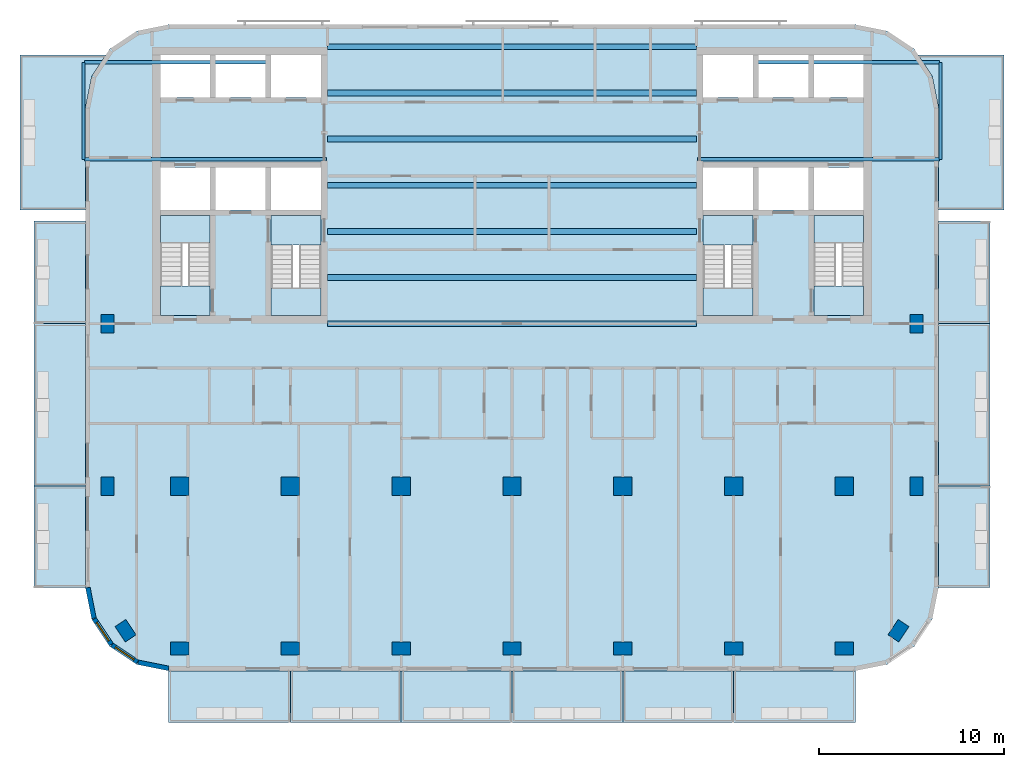
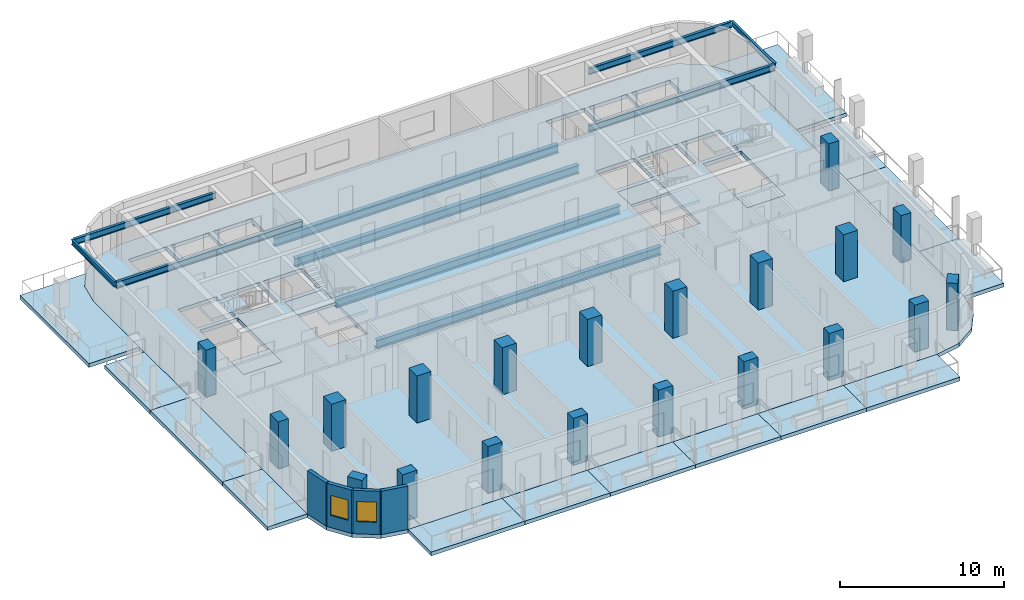
# One storey, part 1 of 11: 23 slabs, 20 columns, 13 beams, 4 walls, 2 windows, 2 openings, 4 elements without a shape of their own.
"""IFC4 building model written with IfcOpenShell, lengths in metres."""

from ifc_helpers import new_model, si_unit, direction, frame, frame_2d, origin, origin_2d, place, context, subcontext, project, spatial, polyline, rectangle, i_section, outline, extrude, material, layer, layer_set, material_profile, profile_set, type_object, element, fill, aggregate, save


model = new_model("IFC4")

# Units and contexts
model_context = context("Model", 3, precision=1e-05, world=origin(), true_north=direction((0.0, 1.0)))
body_context = subcontext(model_context, "Body", "Model", "MODEL_VIEW")
ifc_project = project(units=[si_unit("LENGTHUNIT", "METRE"), si_unit("AREAUNIT", "SQUARE_METRE"), si_unit("VOLUMEUNIT", "CUBIC_METRE"), si_unit("PLANEANGLEUNIT", "RADIAN"), si_unit("MASSUNIT", "GRAM", prefix="KILO")], contexts=[model_context])

# Site, building, storey
site_placement = place(None, origin())
site = spatial("IfcSite", under=ifc_project, at=site_placement, CompositionType="ELEMENT")
building_placement = place(site_placement, origin())
building = spatial("IfcBuilding", under=site, at=building_placement, Name="Torana Hotel and Residences", CompositionType="ELEMENT")
storey_placement = place(building_placement, frame((0.0, 0.0, 273.60009765625)))
storey = spatial("IfcBuildingStorey", under=building, at=storey_placement, Name="L72", CompositionType="ELEMENT", Elevation=273.60009765625)

# Columns
ifc_material_1 = material(Name="Concrete C50/60", Category="concrete")
ifc_material_profile_1 = material_profile(ifc_material_1, rectangle(XDim=1.0, YDim=1.0, at=origin_2d()), Name="RC 1000x1000")
ifc_profile_set_1 = profile_set([ifc_material_profile_1], Name="Concrete C50/60")
column_type_1 = type_object("IfcColumnType", Name="COLUMN RC 1000x1000 C50/60", PredefinedType="COLUMN", material=ifc_profile_set_1)
for number, where, z_axis, x_axis, name in (
    (1, (-18.0, -23.800048828125, 0.0), (0.0, 0.0, 1.0), (1.0, 0.0, 0.0), "Column L72"),
    (2, (-12.0, -23.800048828125, 0.0), (0.0, 0.0, 1.0), (1.0, 0.0, 0.0), "Column L72"),
    (3, (-6.0, -23.800048828125, 0.0), (0.0, 0.0, 1.0), (1.0, 0.0, 0.0), "Column L72"),
    (4, (0.0, -23.800048828125, 0.0), (0.0, 0.0, 1.0), (1.0, 0.0, 0.0), "Column L72"),
    (5, (6.0, -23.800048828125, 0.0), (0.0, 0.0, 1.0), (1.0, 0.0, 0.0), "Column L72"),
    (6, (12.0, -23.800048828125, 0.0), (0.0, 0.0, 1.0), (1.0, 0.0, 0.0), "Column L72"),
    (7, (18.0, -23.800048828125, 0.0), (0.0, 0.0, 1.0), (1.0, 0.0, 0.0), "Column L72"),
):
    element("IfcColumn", number, at=place(storey_placement, frame(where, z_axis=z_axis, x_axis=x_axis)), inside=storey, type_object=column_type_1, Name=name, PredefinedType="COLUMN", context=body_context, shape_type="SweptSolid", body=[
        extrude(rectangle(XDim=1.0, YDim=1.0, at=origin_2d()), origin(), (0.0, 0.0, 1.0), 3.5),
    ])
ifc_material_2 = material(Name="Concrete C50/60", Category="concrete")
ifc_material_profile_2 = material_profile(ifc_material_2, rectangle(XDim=1.0, YDim=0.699951171875, at=origin_2d()), Name="RC 1000x700")
ifc_profile_set_2 = profile_set([ifc_material_profile_2], Name="Concrete C50/60")
column_type_2 = type_object("IfcColumnType", Name="COLUMN RC 1000x700 C50/60", PredefinedType="COLUMN", material=ifc_profile_set_2)
for number, where, z_axis, x_axis, name in (
    (8, (-21.89990234375, -23.800048828125, 0.0), (0.0, 0.0, 1.0), (0.0, 1.0, 0.0), "Column L72"),
    (9, (-21.89990234375, -15.0, 0.0), (0.0, 0.0, 1.0), (0.0, 1.0, 0.0), "Column L72"),
    (10, (-20.93310546875, -31.633056640625, 0.0), (0.0, 0.0, 1.0), (-0.555584744817, 0.831459915646, 0.0), "Column L72"),
    (11, (-18.0, -32.60009765625, 0.0), (0.0, 0.0, 1.0), (1.0, 0.0, 0.0), "Column L72"),
    (12, (-12.0, -32.60009765625, 0.0), (0.0, 0.0, 1.0), (1.0, 0.0, 0.0), "Column L72"),
    (13, (-6.0, -32.60009765625, 0.0), (0.0, 0.0, 1.0), (1.0, 0.0, 0.0), "Column L72"),
    (14, (0.0, -32.60009765625, 0.0), (0.0, 0.0, 1.0), (1.0, 0.0, 0.0), "Column L72"),
    (15, (6.0, -32.60009765625, 0.0), (0.0, 0.0, 1.0), (1.0, 0.0, 0.0), "Column L72"),
    (16, (12.0, -32.60009765625, 0.0), (0.0, 0.0, 1.0), (1.0, 0.0, 0.0), "Column L72"),
    (17, (18.0, -32.60009765625, 0.0), (0.0, 0.0, 1.0), (1.0, 0.0, 0.0), "Column L72"),
    (18, (20.93310546875, -31.633056640625, 0.0), (0.0, 0.0, 1.0), (0.555584744817, 0.831459915646, 0.0), "Column L72"),
    (19, (21.89990234375, -23.800048828125, 0.0), (0.0, 0.0, 1.0), (0.0, 1.0, 0.0), "Column L72"),
    (20, (21.89990234375, -15.0, 0.0), (0.0, 0.0, 1.0), (0.0, 1.0, 0.0), "Column L72"),
):
    element("IfcColumn", number, at=place(storey_placement, frame(where, z_axis=z_axis, x_axis=x_axis)), inside=storey, type_object=column_type_2, Name=name, PredefinedType="COLUMN", context=body_context, shape_type="SweptSolid", body=[
        extrude(rectangle(XDim=1.0, YDim=0.699951171875, at=origin_2d()), origin(), (0.0, 0.0, 1.0), 3.5),
    ])

# Beams
ifc_material_3 = material(Name="Steel S355", Category="steel")
ifc_material_profile_3 = material_profile(ifc_material_3, i_section(OverallWidth=0.19287109375, OverallDepth=0.46728515625, WebThickness=0.011474609375, FlangeThickness=0.01953125, FilletRadius=0.01025390625, at=origin_2d()), Name="457x191x98 UB")
ifc_profile_set_3 = profile_set([ifc_material_profile_3], Name="Steel S355")
beam_type_1 = type_object("IfcBeamType", Name="BALCONY CANTILEVER BEAM 457x191x98 UB", PredefinedType="BEAM", material=ifc_profile_set_3)
beam_1_placement = place(storey_placement, frame((-23.1484375, -6.10009765625, 2.986328125), z_axis=(1.0, 0.0, 0.0), x_axis=(0.0, 1.0, 0.0)))
element("IfcBeam", 21, at=beam_1_placement, inside=storey, type_object=beam_type_1, Name="Balcony cantilever beam", PredefinedType="BEAM", context=body_context, shape_type="SweptSolid", body=[
    extrude(i_section(OverallWidth=0.19287109375, OverallDepth=0.46728515625, WebThickness=0.011474609375, FlangeThickness=0.01953125, FilletRadius=0.01025390625, at=origin_2d()), origin(), (0.0, 0.0, 1.0), 13.098388671875),
])
beam_2_placement = place(storey_placement, frame((-23.1484375, -0.85009765625, 2.986328125), z_axis=(1.0, 0.0, 0.0), x_axis=(0.0, 1.0, 0.0)))
element("IfcBeam", 22, at=beam_2_placement, inside=storey, type_object=beam_type_1, Name="Balcony cantilever beam", PredefinedType="BEAM", context=body_context, shape_type="SweptSolid", body=[
    extrude(i_section(OverallWidth=0.19287109375, OverallDepth=0.46728515625, WebThickness=0.011474609375, FlangeThickness=0.01953125, FilletRadius=0.01025390625, at=origin_2d()), origin(), (0.0, 0.0, 1.0), 10.04833984375),
])
beam_3_placement = place(storey_placement, frame((23.1484375, -6.10009765625, 2.986328125), z_axis=(-1.0, 0.0, 0.0), x_axis=(0.0, -1.0, 0.0)))
element("IfcBeam", 23, at=beam_3_placement, inside=storey, type_object=beam_type_1, Name="Balcony cantilever beam", PredefinedType="BEAM", context=body_context, shape_type="SweptSolid", body=[
    extrude(i_section(OverallWidth=0.19287109375, OverallDepth=0.46728515625, WebThickness=0.011474609375, FlangeThickness=0.01953125, FilletRadius=0.01025390625, at=origin_2d()), origin(), (0.0, 0.0, 1.0), 13.098388671875),
])
beam_4_placement = place(storey_placement, frame((23.1484375, -0.85009765625, 2.986328125), z_axis=(-1.0, 0.0, 0.0), x_axis=(0.0, -1.0, 0.0)))
element("IfcBeam", 24, at=beam_4_placement, inside=storey, type_object=beam_type_1, Name="Balcony cantilever beam", PredefinedType="BEAM", context=body_context, shape_type="SweptSolid", body=[
    extrude(i_section(OverallWidth=0.19287109375, OverallDepth=0.46728515625, WebThickness=0.011474609375, FlangeThickness=0.01953125, FilletRadius=0.01025390625, at=origin_2d()), origin(), (0.0, 0.0, 1.0), 10.04833984375),
])
ifc_material_4 = material(Name="Steel S355", Category="steel")
ifc_material_profile_4 = material_profile(ifc_material_4, i_section(OverallWidth=0.173095703125, OverallDepth=0.36328125, WebThickness=0.009033203125, FlangeThickness=0.015625, FilletRadius=0.01025390625, at=origin_2d()), Name="356x171x67 UB")
ifc_profile_set_4 = profile_set([ifc_material_profile_4], Name="Steel S355")
beam_type_2 = type_object("IfcBeamType", Name="BALCONY TIP BEAM 356x171x67 UB", PredefinedType="BEAM", material=ifc_profile_set_4)
for number, where, z_axis, x_axis, name in (
    (25, (-23.205078125, -6.10009765625, 3.0380859375), (0.0, 1.0, 0.0), (-1.0, 0.0, 0.0), "Balcony tip beam"),
    (26, (23.205078125, -6.10009765625, 3.0380859375), (0.0, 1.0, 0.0), (-1.0, 0.0, 0.0), "Balcony tip beam"),
):
    element("IfcBeam", number, at=place(storey_placement, frame(where, z_axis=z_axis, x_axis=x_axis)), inside=storey, type_object=beam_type_2, Name=name, PredefinedType="BEAM", context=body_context, shape_type="SweptSolid", body=[
        extrude(i_section(OverallWidth=0.173095703125, OverallDepth=0.36328125, WebThickness=0.009033203125, FlangeThickness=0.015625, FilletRadius=0.01025390625, at=origin_2d()), origin(), (0.0, 0.0, 1.0), 5.25),
    ])
ifc_material_5 = material(Name="Steel S355", Category="steel")
ifc_material_profile_5 = material_profile(ifc_material_5, i_section(OverallWidth=0.311279296875, OverallDepth=0.6357421875, WebThickness=0.018310546875, FlangeThickness=0.031494140625, FilletRadius=0.0166015625, at=origin_2d()), Name="610x305x238 UB")
ifc_profile_set_5 = profile_set([ifc_material_profile_5], Name="Steel S355")
beam_type_3 = type_object("IfcBeamType", Name="STEEL GIRDER 610x305x238 UB", PredefinedType="BEAM", material=ifc_profile_set_5)
for number, where, z_axis, x_axis, name in (
    (27, (-10.0, -15.0, -0.597900390625), (1.0, 0.0, 0.0), (0.0, 1.0, 0.0), "Floor girder"),
    (28, (-10.0, -12.5, -0.597900390625), (1.0, 0.0, 0.0), (0.0, 1.0, 0.0), "Floor girder"),
    (29, (-10.0, -10.0, -0.597900390625), (1.0, 0.0, 0.0), (0.0, 1.0, 0.0), "Floor girder"),
    (30, (-10.0, -7.5, -0.597900390625), (1.0, 0.0, 0.0), (0.0, 1.0, 0.0), "Floor girder"),
    (31, (-10.0, -5.0, -0.597900390625), (1.0, 0.0, 0.0), (0.0, 1.0, 0.0), "Floor girder"),
    (32, (-10.0, -2.5, -0.597900390625), (1.0, 0.0, 0.0), (0.0, 1.0, 0.0), "Floor girder"),
    (33, (-10.0, 0.0, -0.597900390625), (1.0, 0.0, 0.0), (0.0, 1.0, 0.0), "Floor girder"),
):
    element("IfcBeam", number, at=place(storey_placement, frame(where, z_axis=z_axis, x_axis=x_axis)), inside=storey, type_object=beam_type_3, Name=name, PredefinedType="BEAM", context=body_context, shape_type="SweptSolid", body=[
        extrude(i_section(OverallWidth=0.311279296875, OverallDepth=0.6357421875, WebThickness=0.018310546875, FlangeThickness=0.031494140625, FilletRadius=0.0166015625, at=origin_2d()), origin(), (0.0, 0.0, 1.0), 20.0),
    ])

# Slabs
ifc_material_6 = material(Name="Concrete C40/50", Category="concrete")
ifc_layer_1 = layer(ifc_material_6, 0.280029296875)
ifc_layer_set_1 = layer_set([ifc_layer_1], Name="BAL1 BALCONY SLAB 280")
slab_type_1 = type_object("IfcSlabType", Name="BAL1 BALCONY SLAB 280", PredefinedType="USERDEFINED", material=ifc_layer_set_1)
slab_1_placement = place(storey_placement, frame((0.0, 0.0, -0.280029296875)))
element("IfcSlab", 34, at=slab_1_placement, inside=storey, type_object=slab_type_1, Name="Balcony 01", ObjectType="BALCONY", PredefinedType="USERDEFINED", context=body_context, shape_type="SweptSolid", body=[
    extrude(outline(polyline([(-18.60009765625, -36.60009765625), (-12.0, -36.60009765625), (-12.0, -33.800048828125), (-18.60009765625, -33.800048828125), (-18.60009765625, -36.60009765625)])), origin(), (0.0, 0.0, 1.0), 0.280029296875),
])
slab_2_placement = place(storey_placement, frame((0.0, 0.0, -0.280029296875)))
element("IfcSlab", 35, at=slab_2_placement, inside=storey, type_object=slab_type_1, Name="Balcony 02", ObjectType="BALCONY", PredefinedType="USERDEFINED", context=body_context, shape_type="SweptSolid", body=[
    extrude(outline(polyline([(-12.0, -36.60009765625), (-6.0, -36.60009765625), (-6.0, -33.800048828125), (-12.0, -33.800048828125), (-12.0, -36.60009765625)])), origin(), (0.0, 0.0, 1.0), 0.280029296875),
])
slab_3_placement = place(storey_placement, frame((0.0, 0.0, -0.280029296875)))
element("IfcSlab", 36, at=slab_3_placement, inside=storey, type_object=slab_type_1, Name="Balcony 03", ObjectType="BALCONY", PredefinedType="USERDEFINED", context=body_context, shape_type="SweptSolid", body=[
    extrude(outline(polyline([(-6.0, -36.60009765625), (0.0, -36.60009765625), (0.0, -33.800048828125), (-6.0, -33.800048828125), (-6.0, -36.60009765625)])), origin(), (0.0, 0.0, 1.0), 0.280029296875),
])
slab_4_placement = place(storey_placement, frame((0.0, 0.0, -0.280029296875)))
element("IfcSlab", 37, at=slab_4_placement, inside=storey, type_object=slab_type_1, Name="Balcony 04", ObjectType="BALCONY", PredefinedType="USERDEFINED", context=body_context, shape_type="SweptSolid", body=[
    extrude(outline(polyline([(0.0, -36.60009765625), (6.0, -36.60009765625), (6.0, -33.800048828125), (0.0, -33.800048828125), (0.0, -36.60009765625)])), origin(), (0.0, 0.0, 1.0), 0.280029296875),
])
slab_5_placement = place(storey_placement, frame((0.0, 0.0, -0.280029296875)))
element("IfcSlab", 38, at=slab_5_placement, inside=storey, type_object=slab_type_1, Name="Balcony 05", ObjectType="BALCONY", PredefinedType="USERDEFINED", context=body_context, shape_type="SweptSolid", body=[
    extrude(outline(polyline([(6.0, -36.60009765625), (12.0, -36.60009765625), (12.0, -33.800048828125), (6.0, -33.800048828125), (6.0, -36.60009765625)])), origin(), (0.0, 0.0, 1.0), 0.280029296875),
])
slab_6_placement = place(storey_placement, frame((0.0, 0.0, -0.280029296875)))
element("IfcSlab", 39, at=slab_6_placement, inside=storey, type_object=slab_type_1, Name="Balcony 06", ObjectType="BALCONY", PredefinedType="USERDEFINED", context=body_context, shape_type="SweptSolid", body=[
    extrude(outline(polyline([(12.0, -36.60009765625), (18.60009765625, -36.60009765625), (18.60009765625, -33.800048828125), (12.0, -33.800048828125), (12.0, -36.60009765625)])), origin(), (0.0, 0.0, 1.0), 0.280029296875),
])
slab_7_placement = place(storey_placement, frame((0.0, 0.0, -0.280029296875)))
element("IfcSlab", 40, at=slab_7_placement, inside=storey, type_object=slab_type_1, Name="Balcony 07", ObjectType="BALCONY", PredefinedType="USERDEFINED", context=body_context, shape_type="SweptSolid", body=[
    extrude(outline(polyline([(-25.89990234375, -29.300048828125), (-23.10009765625, -29.300048828125), (-23.10009765625, -23.800048828125), (-25.89990234375, -23.800048828125), (-25.89990234375, -29.300048828125)])), origin(), (0.0, 0.0, 1.0), 0.280029296875),
])
slab_8_placement = place(storey_placement, frame((0.0, 0.0, -0.280029296875)))
element("IfcSlab", 41, at=slab_8_placement, inside=storey, type_object=slab_type_1, Name="Balcony 08", ObjectType="BALCONY", PredefinedType="USERDEFINED", context=body_context, shape_type="SweptSolid", body=[
    extrude(outline(polyline([(-25.89990234375, -23.800048828125), (-23.10009765625, -23.800048828125), (-23.10009765625, -15.0), (-25.89990234375, -15.0), (-25.89990234375, -23.800048828125)])), origin(), (0.0, 0.0, 1.0), 0.280029296875),
])
slab_9_placement = place(storey_placement, frame((0.0, 0.0, -0.280029296875)))
element("IfcSlab", 42, at=slab_9_placement, inside=storey, type_object=slab_type_1, Name="Balcony 09", ObjectType="BALCONY", PredefinedType="USERDEFINED", context=body_context, shape_type="SweptSolid", body=[
    extrude(outline(polyline([(-25.89990234375, -15.0), (-23.10009765625, -15.0), (-23.10009765625, -9.449951171875), (-25.89990234375, -9.449951171875), (-25.89990234375, -15.0)])), origin(), (0.0, 0.0, 1.0), 0.280029296875),
])
slab_10_placement = place(storey_placement, frame((0.0, 0.0, -0.280029296875)))
element("IfcSlab", 43, at=slab_10_placement, inside=storey, type_object=slab_type_1, Name="Balcony 10", ObjectType="BALCONY", PredefinedType="USERDEFINED", context=body_context, shape_type="SweptSolid", body=[
    extrude(outline(polyline([(-26.64990234375, -8.85009765625), (-23.10009765625, -8.85009765625), (-23.10009765625, -3.300048828125), (-22.757568359375, -1.577880859375), (-22.00390625, -0.449951171875), (-26.64990234375, -0.449951171875), (-26.64990234375, -8.85009765625)])), origin(), (0.0, 0.0, 1.0), 0.280029296875),
])
slab_11_placement = place(storey_placement, frame((0.0, 0.0, -0.280029296875)))
element("IfcSlab", 44, at=slab_11_placement, inside=storey, type_object=slab_type_1, Name="Balcony 11", ObjectType="BALCONY", PredefinedType="USERDEFINED", context=body_context, shape_type="SweptSolid", body=[
    extrude(outline(polyline([(23.10009765625, -29.300048828125), (25.89990234375, -29.300048828125), (25.89990234375, -23.800048828125), (23.10009765625, -23.800048828125), (23.10009765625, -29.300048828125)])), origin(), (0.0, 0.0, 1.0), 0.280029296875),
])
slab_12_placement = place(storey_placement, frame((0.0, 0.0, -0.280029296875)))
element("IfcSlab", 45, at=slab_12_placement, inside=storey, type_object=slab_type_1, Name="Balcony 12", ObjectType="BALCONY", PredefinedType="USERDEFINED", context=body_context, shape_type="SweptSolid", body=[
    extrude(outline(polyline([(23.10009765625, -23.800048828125), (25.89990234375, -23.800048828125), (25.89990234375, -15.0), (23.10009765625, -15.0), (23.10009765625, -23.800048828125)])), origin(), (0.0, 0.0, 1.0), 0.280029296875),
])
slab_13_placement = place(storey_placement, frame((0.0, 0.0, -0.280029296875)))
element("IfcSlab", 46, at=slab_13_placement, inside=storey, type_object=slab_type_1, Name="Balcony 13", ObjectType="BALCONY", PredefinedType="USERDEFINED", context=body_context, shape_type="SweptSolid", body=[
    extrude(outline(polyline([(23.10009765625, -15.0), (25.89990234375, -15.0), (25.89990234375, -9.449951171875), (23.10009765625, -9.449951171875), (23.10009765625, -15.0)])), origin(), (0.0, 0.0, 1.0), 0.280029296875),
])
slab_14_placement = place(storey_placement, frame((0.0, 0.0, -0.280029296875)))
element("IfcSlab", 47, at=slab_14_placement, inside=storey, type_object=slab_type_1, Name="Balcony 14", ObjectType="BALCONY", PredefinedType="USERDEFINED", context=body_context, shape_type="SweptSolid", body=[
    extrude(outline(polyline([(23.10009765625, -8.85009765625), (26.64990234375, -8.85009765625), (26.64990234375, -0.449951171875), (22.00390625, -0.449951171875), (22.757568359375, -1.577880859375), (23.10009765625, -3.300048828125), (23.10009765625, -8.85009765625)])), origin(), (0.0, 0.0, 1.0), 0.280029296875),
])
ifc_material_7 = material(Name="Concrete C40/50", Category="concrete")
ifc_layer_2 = layer(ifc_material_7, 0.280029296875)
ifc_layer_set_2 = layer_set([ifc_layer_2], Name="FLOOR SLAB PT 280")
slab_type_2 = type_object("IfcSlabType", Name="FLOOR SLAB PT 280", PredefinedType="FLOOR", material=ifc_layer_set_2)
slab_15_placement = place(storey_placement, frame((0.0, 0.0, -0.280029296875)))
element("IfcSlab", 48, at=slab_15_placement, inside=storey, type_object=slab_type_2, Name="Floor slab", PredefinedType="FLOOR", context=body_context, shape_type="SweptSolid", body=[
    extrude(outline(polyline([(23.10009765625, -3.300048828125), (22.757568359375, -1.577880859375), (21.781982421875, -0.117919921875), (20.322021484375, 0.857421875), (18.60009765625, 1.199951171875), (-18.60009765625, 1.199951171875), (-20.322021484375, 0.857421875), (-21.781982421875, -0.117919921875), (-22.757568359375, -1.577880859375), (-23.10009765625, -3.300048828125), (-23.10009765625, -29.300048828125), (-22.757568359375, -31.022216796875), (-21.781982421875, -32.48193359375), (-20.322021484375, -33.45751953125), (-18.60009765625, -33.800048828125), (18.60009765625, -33.800048828125), (20.322021484375, -33.45751953125), (21.781982421875, -32.48193359375), (22.757568359375, -31.022216796875), (23.10009765625, -29.300048828125), (23.10009765625, -3.300048828125)]), holes=[polyline([(-13.050048828125, -14.550048828125), (-10.35009765625, -14.550048828125), (-10.35009765625, -9.14990234375), (-13.050048828125, -9.14990234375), (-13.050048828125, -14.550048828125)]), polyline([(-19.050048828125, -14.550048828125), (-16.35009765625, -14.550048828125), (-16.35009765625, -9.14990234375), (-19.050048828125, -9.14990234375), (-19.050048828125, -14.550048828125)]), polyline([(-19.050048828125, -2.75), (-16.35009765625, -2.75), (-16.35009765625, -0.449951171875), (-19.050048828125, -0.449951171875), (-19.050048828125, -2.75)]), polyline([(-13.050048828125, -2.75), (-10.35009765625, -2.75), (-10.35009765625, -0.449951171875), (-13.050048828125, -0.449951171875), (-13.050048828125, -2.75)]), polyline([(-16.050048828125, -2.75), (-13.35009765625, -2.75), (-13.35009765625, -0.449951171875), (-16.050048828125, -0.449951171875), (-16.050048828125, -2.75)]), polyline([(-13.050048828125, -8.85009765625), (-10.35009765625, -8.85009765625), (-10.35009765625, -6.550048828125), (-13.050048828125, -6.550048828125), (-13.050048828125, -8.85009765625)]), polyline([(-16.050048828125, -8.85009765625), (-13.35009765625, -8.85009765625), (-13.35009765625, -6.550048828125), (-16.050048828125, -6.550048828125), (-16.050048828125, -8.85009765625)]), polyline([(-19.050048828125, -8.85009765625), (-16.35009765625, -8.85009765625), (-16.35009765625, -6.550048828125), (-19.050048828125, -6.550048828125), (-19.050048828125, -8.85009765625)]), polyline([(10.35009765625, -14.550048828125), (13.050048828125, -14.550048828125), (13.050048828125, -9.14990234375), (10.35009765625, -9.14990234375), (10.35009765625, -14.550048828125)]), polyline([(16.35009765625, -14.550048828125), (19.050048828125, -14.550048828125), (19.050048828125, -9.14990234375), (16.35009765625, -9.14990234375), (16.35009765625, -14.550048828125)]), polyline([(16.35009765625, -2.75), (19.050048828125, -2.75), (19.050048828125, -0.449951171875), (16.35009765625, -0.449951171875), (16.35009765625, -2.75)]), polyline([(10.35009765625, -2.75), (13.050048828125, -2.75), (13.050048828125, -0.449951171875), (10.35009765625, -0.449951171875), (10.35009765625, -2.75)]), polyline([(13.35009765625, -2.75), (16.050048828125, -2.75), (16.050048828125, -0.449951171875), (13.35009765625, -0.449951171875), (13.35009765625, -2.75)]), polyline([(10.35009765625, -8.85009765625), (13.050048828125, -8.85009765625), (13.050048828125, -6.550048828125), (10.35009765625, -6.550048828125), (10.35009765625, -8.85009765625)]), polyline([(13.35009765625, -8.85009765625), (16.050048828125, -8.85009765625), (16.050048828125, -6.550048828125), (13.35009765625, -6.550048828125), (13.35009765625, -8.85009765625)]), polyline([(16.35009765625, -8.85009765625), (19.050048828125, -8.85009765625), (19.050048828125, -6.550048828125), (16.35009765625, -6.550048828125), (16.35009765625, -8.85009765625)])]), origin(), (0.0, 0.0, 1.0), 0.280029296875),
])

# Stair, slabs
ifc_material_8 = material(Name="Concrete C40/50 precast", Category="concrete")
stair_type_1 = type_object("IfcStairType", Name="STAIR ST1 HALF TURN 1200", PredefinedType="HALF_TURN_STAIR", material=ifc_material_8)
stair_1_placement = place(storey_placement, origin())
stair_1 = element("IfcStair", 49, at=stair_1_placement, inside=storey, type_object=stair_type_1, Name="Stair ST1 L72", PredefinedType="HALF_TURN_STAIR")
ifc_material_9 = material(Name="Concrete C40/50 precast", Category="concrete")
ifc_layer_3 = layer(ifc_material_9, 0.199951171875)
ifc_layer_set_3 = layer_set([ifc_layer_3], Name="STAIR LANDING 200")
slab_type_3 = type_object("IfcSlabType", Name="STAIR LANDING 200", PredefinedType="LANDING", material=ifc_layer_set_3)
slab_16_placement = place(storey_placement, frame((0.0, 0.0, 1.5498046875)))
slab_16 = element("IfcSlab", 50, at=slab_16_placement, type_object=slab_type_3, Name="ST1 landing 1", PredefinedType="LANDING", context=body_context, shape_type="SweptSolid", body=[
    extrude(outline(polyline([(-13.050048828125, -14.550048828125), (-10.35009765625, -14.550048828125), (-10.35009765625, -13.090087890625), (-13.050048828125, -13.090087890625), (-13.050048828125, -14.550048828125)])), origin(), (0.0, 0.0, 1.0), 0.2001953125),
])
slab_17_placement = place(storey_placement, frame((0.0, 0.0, -0.2001953125)))
slab_17 = element("IfcSlab", 51, at=slab_17_placement, type_object=slab_type_3, Name="ST1 landing 2", PredefinedType="LANDING", context=body_context, shape_type="SweptSolid", body=[
    extrude(outline(polyline([(-13.050048828125, -10.75), (-10.35009765625, -10.75), (-10.35009765625, -9.14990234375), (-13.050048828125, -9.14990234375), (-13.050048828125, -10.75)])), origin(), (0.0, 0.0, 1.0), 0.2001953125),
])
aggregate(stair_1, [slab_16, slab_17])

ifc_material_10 = material(Name="Concrete C40/50 precast", Category="concrete")
stair_type_2 = type_object("IfcStairType", Name="STAIR ST2 HALF TURN 1200", PredefinedType="HALF_TURN_STAIR", material=ifc_material_10)
stair_2_placement = place(storey_placement, origin())
stair_2 = element("IfcStair", 52, at=stair_2_placement, inside=storey, type_object=stair_type_2, Name="Stair ST2 L72", PredefinedType="HALF_TURN_STAIR")
slab_18_placement = place(storey_placement, frame((0.0, 0.0, 1.5498046875)))
slab_18 = element("IfcSlab", 53, at=slab_18_placement, type_object=slab_type_3, Name="ST2 landing 1", PredefinedType="LANDING", context=body_context, shape_type="SweptSolid", body=[
    extrude(outline(polyline([(-19.050048828125, -10.610107421875), (-16.35009765625, -10.610107421875), (-16.35009765625, -9.14990234375), (-19.050048828125, -9.14990234375), (-19.050048828125, -10.610107421875)])), origin(), (0.0, 0.0, 1.0), 0.2001953125),
])
slab_19_placement = place(storey_placement, frame((0.0, 0.0, -0.2001953125)))
slab_19 = element("IfcSlab", 54, at=slab_19_placement, type_object=slab_type_3, Name="ST2 landing 2", PredefinedType="LANDING", context=body_context, shape_type="SweptSolid", body=[
    extrude(outline(polyline([(-19.050048828125, -14.550048828125), (-16.35009765625, -14.550048828125), (-16.35009765625, -12.949951171875), (-19.050048828125, -12.949951171875), (-19.050048828125, -14.550048828125)])), origin(), (0.0, 0.0, 1.0), 0.2001953125),
])
aggregate(stair_2, [slab_18, slab_19])

ifc_material_11 = material(Name="Concrete C40/50 precast", Category="concrete")
stair_type_3 = type_object("IfcStairType", Name="STAIR ST3 HALF TURN 1200", PredefinedType="HALF_TURN_STAIR", material=ifc_material_11)
stair_3_placement = place(storey_placement, origin())
stair_3 = element("IfcStair", 55, at=stair_3_placement, inside=storey, type_object=stair_type_3, Name="Stair ST3 L72", PredefinedType="HALF_TURN_STAIR")
slab_20_placement = place(storey_placement, frame((0.0, 0.0, 1.5498046875)))
slab_20 = element("IfcSlab", 56, at=slab_20_placement, type_object=slab_type_3, Name="ST3 landing 1", PredefinedType="LANDING", context=body_context, shape_type="SweptSolid", body=[
    extrude(outline(polyline([(10.35009765625, -14.550048828125), (13.050048828125, -14.550048828125), (13.050048828125, -13.090087890625), (10.35009765625, -13.090087890625), (10.35009765625, -14.550048828125)])), origin(), (0.0, 0.0, 1.0), 0.2001953125),
])
slab_21_placement = place(storey_placement, frame((0.0, 0.0, -0.2001953125)))
slab_21 = element("IfcSlab", 57, at=slab_21_placement, type_object=slab_type_3, Name="ST3 landing 2", PredefinedType="LANDING", context=body_context, shape_type="SweptSolid", body=[
    extrude(outline(polyline([(10.35009765625, -10.75), (13.050048828125, -10.75), (13.050048828125, -9.14990234375), (10.35009765625, -9.14990234375), (10.35009765625, -10.75)])), origin(), (0.0, 0.0, 1.0), 0.2001953125),
])
aggregate(stair_3, [slab_20, slab_21])

ifc_material_12 = material(Name="Concrete C40/50 precast", Category="concrete")
stair_type_4 = type_object("IfcStairType", Name="STAIR ST4 HALF TURN 1200", PredefinedType="HALF_TURN_STAIR", material=ifc_material_12)
stair_4_placement = place(storey_placement, origin())
stair_4 = element("IfcStair", 58, at=stair_4_placement, inside=storey, type_object=stair_type_4, Name="Stair ST4 L72", PredefinedType="HALF_TURN_STAIR")
slab_22_placement = place(storey_placement, frame((0.0, 0.0, 1.5498046875)))
slab_22 = element("IfcSlab", 59, at=slab_22_placement, type_object=slab_type_3, Name="ST4 landing 1", PredefinedType="LANDING", context=body_context, shape_type="SweptSolid", body=[
    extrude(outline(polyline([(16.35009765625, -10.610107421875), (19.050048828125, -10.610107421875), (19.050048828125, -9.14990234375), (16.35009765625, -9.14990234375), (16.35009765625, -10.610107421875)])), origin(), (0.0, 0.0, 1.0), 0.2001953125),
])
slab_23_placement = place(storey_placement, frame((0.0, 0.0, -0.2001953125)))
slab_23 = element("IfcSlab", 60, at=slab_23_placement, type_object=slab_type_3, Name="ST4 landing 2", PredefinedType="LANDING", context=body_context, shape_type="SweptSolid", body=[
    extrude(outline(polyline([(16.35009765625, -14.550048828125), (19.050048828125, -14.550048828125), (19.050048828125, -12.949951171875), (16.35009765625, -12.949951171875), (16.35009765625, -14.550048828125)])), origin(), (0.0, 0.0, 1.0), 0.2001953125),
])
aggregate(stair_4, [slab_22, slab_23])

# Wall
ifc_material_13 = material(Name="Black aluminium composite panel", Category="aluminium")
ifc_layer_4 = layer(ifc_material_13, 0.00390625, Name="Cladding", Category="cladding")
ifc_material_14 = material(Name="Ventilated air cavity")
ifc_layer_5 = layer(ifc_material_14, 0.0400390625, Name="Ventilated cavity", Category="cavity")
ifc_material_15 = material(Name="Mineral wool insulation")
ifc_layer_6 = layer(ifc_material_15, 0.090087890625, Name="Insulation", Category="insulation")
ifc_material_16 = material(Name="Steel S280GD", Category="steel")
ifc_layer_7 = layer(ifc_material_16, 0.092041015625, Name="Steel stud frame", Category="structure")
ifc_material_17 = material(Name="Fire rated plasterboard")
ifc_layer_8 = layer(ifc_material_17, 0.011962890625, Name="Inner board", Category="finish")
ifc_layer_9 = layer(ifc_material_17, 0.011962890625, Name="Second board", Category="finish")
ifc_layer_set_4 = layer_set([ifc_layer_4, ifc_layer_5, ifc_layer_6, ifc_layer_7, ifc_layer_8, ifc_layer_9], Name="EW1 EXTERNAL WALL BLACK METAL CLAD 250")
wall_type = type_object("IfcWallType", Name="EW1 EXTERNAL WALL BLACK METAL CLAD 250", PredefinedType="SOLIDWALL", material=ifc_layer_set_4)
wall_1_placement = place(storey_placement, frame((-22.97265625, -29.2998046875, 0.0), z_axis=(0.0, 0.0, 1.0), x_axis=(0.19513878023, -0.980775640221, 0.0)))
element("IfcWall", 61, at=wall_1_placement, inside=storey, type_object=wall_type, Name="External wall L72 e0.10", PredefinedType="SOLIDWALL", context=body_context, shape_type="SweptSolid", body=[
    extrude(rectangle(XDim=1.681396484375, YDim=0.25, at=frame_2d((0.8408203125, 0.0))), origin(), (0.0, 0.0, 1.0), 3.219970703125),
])

# Wall, opening, window
wall_2_placement = place(storey_placement, frame((-22.6259765625, -30.993896484375, 0.0), z_axis=(0.0, 0.0, 1.0), x_axis=(0.55555029066, -0.831482937015, 0.0)))
wall_2 = element("IfcWall", 62, at=wall_2_placement, inside=storey, type_object=wall_type, Name="External wall L72 e0.11", PredefinedType="SOLIDWALL", context=body_context, shape_type="SweptSolid", body=[
    extrude(rectangle(XDim=1.65625, YDim=0.25, at=frame_2d((0.828125, 0.0))), origin(), (0.0, 0.0, 1.0), 3.219970703125),
])
opening_1_placement = place(wall_2_placement, frame((0.228271484375, 0.0, 0.89990234375)))
opening_1 = element("IfcOpeningElement", 63, at=opening_1_placement, cuts=wall_2, Name="Opening W5", PredefinedType="OPENING", context=body_context, shape_type="SweptSolid", body=[
    extrude(rectangle(XDim=1.199951171875, YDim=1.5, at=frame_2d((0.60009765625, 0.75))), frame((0.0, 0.135009765625, 0.0), z_axis=(0.0, -1.0, 0.0), x_axis=(1.0, 0.0, 0.0)), (0.0, 0.0, 1.0), 0.27001953125),
])
ifc_material_18 = material(Name="Dark glass in black aluminium frame", Category="aluminium")
window_type = type_object("IfcWindowType", Name="W5 CORNER FACET WINDOW 1200x1500", PartitioningType="SINGLE_PANEL", PredefinedType="WINDOW", material=ifc_material_18)
window_1_placement = place(opening_1_placement, origin())
window_1 = element("IfcWindow", 64, at=window_1_placement, inside=storey, type_object=window_type, Name="Window L72 e0.11", OverallHeight=1.5, OverallWidth=1.199951171875, PartitioningType="SINGLE_PANEL", PredefinedType="WINDOW", context=body_context, shape_type="SweptSolid", body=[
    extrude(rectangle(XDim=1.199951171875, YDim=1.5, at=frame_2d((0.60009765625, 0.75))), frame((0.0, 0.030029296875, 0.0), z_axis=(0.0, -1.0, 0.0), x_axis=(1.0, 0.0, 0.0)), (0.0, 0.0, 1.0), 0.06005859375),
])
fill(opening_1, window_1)

wall_3_placement = place(storey_placement, frame((-21.671142578125, -32.40576171875, 0.0), z_axis=(0.0, 0.0, 1.0), x_axis=(0.831482937015, -0.55555029066, 0.0)))
wall_3 = element("IfcWall", 65, at=wall_3_placement, inside=storey, type_object=wall_type, Name="External wall L72 e0.12", PredefinedType="SOLIDWALL", context=body_context, shape_type="SweptSolid", body=[
    extrude(rectangle(XDim=1.65625, YDim=0.25, at=frame_2d((0.828125, 0.0))), origin(), (0.0, 0.0, 1.0), 3.219970703125),
])
opening_2_placement = place(wall_3_placement, frame((0.228271484375, 0.0, 0.89990234375)))
opening_2 = element("IfcOpeningElement", 66, at=opening_2_placement, cuts=wall_3, Name="Opening W5", PredefinedType="OPENING", context=body_context, shape_type="SweptSolid", body=[
    extrude(rectangle(XDim=1.199951171875, YDim=1.5, at=frame_2d((0.60009765625, 0.75))), frame((0.0, 0.135009765625, 0.0), z_axis=(0.0, -1.0, 0.0), x_axis=(1.0, 0.0, 0.0)), (0.0, 0.0, 1.0), 0.27001953125),
])
window_2_placement = place(opening_2_placement, origin())
window_2 = element("IfcWindow", 67, at=window_2_placement, inside=storey, type_object=window_type, Name="Window L72 e0.12", OverallHeight=1.5, OverallWidth=1.199951171875, PartitioningType="SINGLE_PANEL", PredefinedType="WINDOW", context=body_context, shape_type="SweptSolid", body=[
    extrude(rectangle(XDim=1.199951171875, YDim=1.5, at=frame_2d((0.60009765625, 0.75))), frame((0.0, 0.030029296875, 0.0), z_axis=(0.0, -1.0, 0.0), x_axis=(1.0, 0.0, 0.0)), (0.0, 0.0, 1.0), 0.06005859375),
])
fill(opening_2, window_2)

# Wall
wall_4_placement = place(storey_placement, frame((-20.248779296875, -33.344482421875, 0.0), z_axis=(0.0, 0.0, 1.0), x_axis=(0.980770110232, -0.195166572128, 0.0)))
element("IfcWall", 68, at=wall_4_placement, inside=storey, type_object=wall_type, Name="External wall L72 e0.13", PredefinedType="SOLIDWALL", context=body_context, shape_type="SweptSolid", body=[
    extrude(rectangle(XDim=1.68115234375, YDim=0.25, at=frame_2d((0.840576171875, 0.0))), origin(), (0.0, 0.0, 1.0), 3.219970703125),
])

save(model, "model.ifc")
